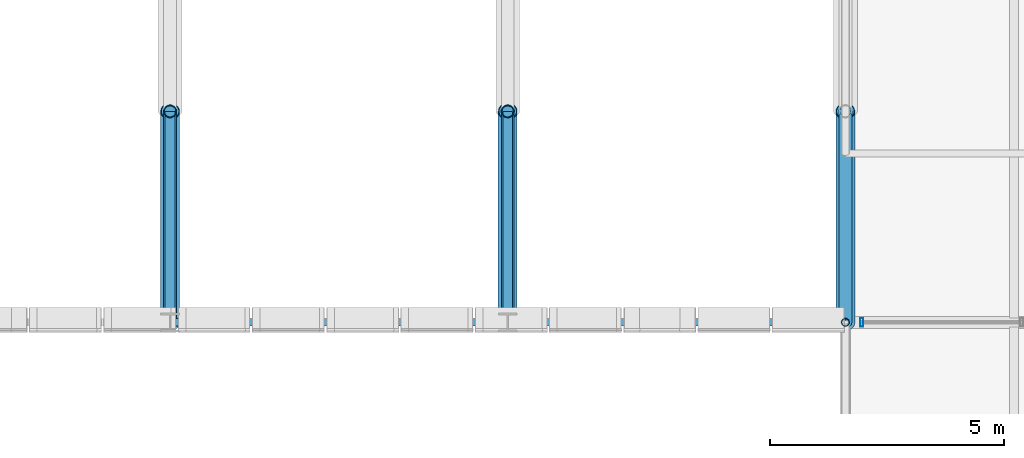
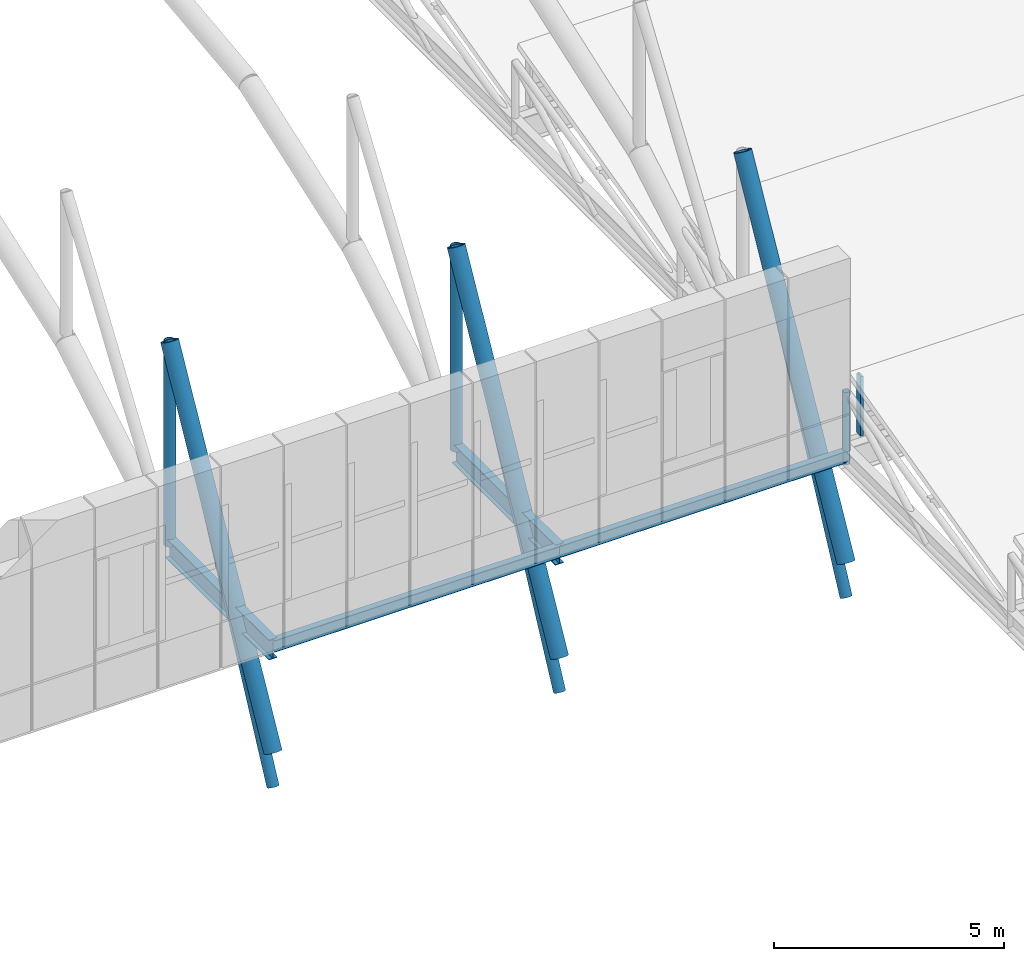
# One storey, part 27 of 144: 10 members, 4 beams, 1 element without a shape of its own.
"""IFC4 building model written with IfcOpenShell, lengths in metres."""

import ifcopenshell
import ifcopenshell.guid

model = None  # the IFC model being written
_history = None  # IfcOwnerHistory: only IFC2X3 demands one
_inside = {}  # id of a spatial element -> (the spatial element, [elements in it])
_under = {}  # id of a project, library or spatial element -> (it, [spatial elements below it])
_declared = {}  # id of a project -> (the project, [libraries it declares])
_typed = {}  # id of a type object -> (the type object, [elements of that type])
_made_of = {}  # id of a material, layer set ... -> (it, [elements and type objects made of it])


def new_model(schema):
    """Start an empty IFC model of exactly this schema.

    Asked for "IFC4X3", IfcOpenShell would pick the latest addendum, in which some entities
    have other attributes; the version numbers below select the first issue.
    IFC2X3 requires an IfcOwnerHistory on every rooted entity: one is made here for all.
    """
    global model, _history
    if schema == "IFC4X3":
        model = ifcopenshell.file(schema_version=(4, 3, 0, 0))
    else:
        model = ifcopenshell.file(schema=schema)
    _inside.clear()
    _under.clear()
    _declared.clear()
    _typed.clear()
    _made_of.clear()
    _history = None
    if model.schema == "IFC2X3":
        org = make("IfcOrganization", Name="unknown")
        user = make(
            "IfcPersonAndOrganization",
            ThePerson=make("IfcPerson", FamilyName="unknown"),
            TheOrganization=org,
        )
        app = make(
            "IfcApplication",
            ApplicationDeveloper=org,
            Version="unknown",
            ApplicationFullName="unknown",
            ApplicationIdentifier="unknown",
        )
        _history = make(
            "IfcOwnerHistory",
            OwningUser=user,
            OwningApplication=app,
            ChangeAction="ADDED",
            CreationDate=0,
        )
    return model


def make(cls, **values):
    """One entity of the class cls with the attributes given. An attribute that is None is left unset."""
    return model.create_entity(
        cls, **{name: value for name, value in values.items() if value is not None}
    )


def rooted(cls, **values):
    """An entity with a GlobalId (a new one), such as an element, a storey or a relation."""
    return make(cls, GlobalId=ifcopenshell.guid.new(), OwnerHistory=_history, **values)


def si_unit(unit_type, name, prefix=None):
    """IfcSIUnit, for example si_unit("LENGTHUNIT", "METRE", prefix="MILLI")."""
    return make("IfcSIUnit", UnitType=unit_type, Prefix=prefix, Name=name)


def assignment(units):
    """IfcUnitAssignment: the units of a project."""
    return None if units is None else make("IfcUnitAssignment", Units=units)


def point(xyz):
    """IfcCartesianPoint."""
    return None if xyz is None else make("IfcCartesianPoint", Coordinates=xyz)


def direction(xyz):
    """IfcDirection."""
    return None if xyz is None else make("IfcDirection", DirectionRatios=xyz)


def frame(location, z_axis=None, x_axis=None):
    """IfcAxis2Placement3D, a coordinate frame: its origin and axes. An axis left out is left unset."""
    return make(
        "IfcAxis2Placement3D",
        Location=point(location),
        Axis=direction(z_axis),
        RefDirection=direction(x_axis),
    )


def frame_2d(location, x_axis=None):
    """IfcAxis2Placement2D, a coordinate frame in the plane: its origin and x axis."""
    return make(
        "IfcAxis2Placement2D", Location=point(location), RefDirection=direction(x_axis)
    )


def origin():
    """The frame at (0, 0, 0) with its axes left unset."""
    return frame((0.0, 0.0, 0.0))


def origin_2d():
    """The frame at (0, 0) in the plane with its x axis left unset."""
    return frame_2d((0.0, 0.0))


def place(relative_to, where):
    """IfcLocalPlacement: puts the frame where relative to a parent placement (None: the world)."""
    return make(
        "IfcLocalPlacement", PlacementRelTo=relative_to, RelativePlacement=where
    )


def context(
    kind, dimensions, precision=None, world=None, true_north=None, identifier=None
):
    """IfcGeometricRepresentationContext, for example the 3D "Model" context."""
    return make(
        "IfcGeometricRepresentationContext",
        ContextIdentifier=identifier,
        ContextType=kind,
        CoordinateSpaceDimension=dimensions,
        Precision=precision,
        WorldCoordinateSystem=world,
        TrueNorth=true_north,
    )


def subcontext(parent, identifier, kind, view, scale=None):
    """IfcGeometricRepresentationSubContext, for example "Body" below "Model"."""
    return make(
        "IfcGeometricRepresentationSubContext",
        ContextIdentifier=identifier,
        ContextType=kind,
        ParentContext=parent,
        TargetScale=scale,
        TargetView=view,
    )


def project(units=None, contexts=None):
    """IfcProject with its units and contexts."""
    return rooted(
        "IfcProject",
        Name="project",
        RepresentationContexts=contexts,
        UnitsInContext=assignment(units),
    )


def spatial(cls, under=None, at=None, **own):
    """A site, building, storey or space (cls), placed at a placement, below another one or the project."""
    s = rooted(cls, ObjectPlacement=at, **own)
    if under is not None:
        _under.setdefault(under.id(), (under, []))[1].append(s)
    return s


def profile(cls, at=None, kind="AREA", **sizes):
    """A parametric profile (cls). Its sizes go by their IFC names, for example OverallWidth=200.0."""
    return make(cls, ProfileType=kind, Position=at, **sizes)


def hollow_rectangle(**sizes):
    """IfcRectangleHollowProfileDef."""
    return profile("IfcRectangleHollowProfileDef", **sizes)


def hollow_circle(**sizes):
    """IfcCircleHollowProfileDef."""
    return profile("IfcCircleHollowProfileDef", **sizes)


def i_section(**sizes):
    """IfcIShapeProfileDef."""
    return profile("IfcIShapeProfileDef", **sizes)


def extrude(swept, where, along, depth):
    """IfcExtrudedAreaSolid: the profile swept, set in the frame where, extruded along a direction by depth."""
    return make(
        "IfcExtrudedAreaSolid",
        SweptArea=swept,
        Position=where,
        ExtrudedDirection=direction(along),
        Depth=depth,
    )


def shape(context_of_items, identifier, shape_type, items):
    """IfcShapeRepresentation: the items that make up one representation, for example the "Body"."""
    return make(
        "IfcShapeRepresentation",
        ContextOfItems=context_of_items,
        RepresentationIdentifier=identifier,
        RepresentationType=shape_type,
        Items=items,
    )


def material(Name=None, Category=None):
    """IfcMaterial."""
    return make("IfcMaterial", Name=Name, Category=Category)


def material_profile(
    of_material, cross_section, Name=None, Category=None, Priority=None
):
    """IfcMaterialProfile: a cross section and its material."""
    return make(
        "IfcMaterialProfile",
        Name=Name,
        Material=of_material,
        Profile=cross_section,
        Priority=Priority,
        Category=Category,
    )


def profile_set(profiles, Name=None, composite=None):
    """IfcMaterialProfileSet."""
    return make(
        "IfcMaterialProfileSet",
        Name=Name,
        MaterialProfiles=profiles,
        CompositeProfile=composite,
    )


def made_of(thing, what):
    """Note that an element or type object is made of a material, layer set ...; save() writes the relation."""
    if what is not None:
        _made_of.setdefault(what.id(), (what, []))[1].append(thing)
    return thing


def type_object(cls, material=None, **own):
    """A type object (cls), such as IfcWallType, which elements share."""
    return made_of(rooted(cls, **own), material)


def element(
    cls,
    number,
    at=None,
    inside=None,
    cuts=None,
    type_object=None,
    material=None,
    context=None,
    identifier="Body",
    shape_type=None,
    held_by="IfcProductDefinitionShape",
    body=None,
    shapes=None,
    **own,
):
    """One element of the class cls, such as IfcWall. Its Tag is "e" and its number.

    at: its placement. inside: the storey or other place that contains it. cuts: it is an
    opening in that element (IfcRelVoidsElement). A single representation is given by context,
    identifier, shape_type and body (its items); several are given by shapes. held_by: the class
    of the entity that holds the representations. save() writes the other relations.
    """
    e = rooted(cls, Tag="e%d" % number, ObjectPlacement=at, **own)
    if body is not None:
        shapes = [shape(context, identifier, shape_type, body)]
    if shapes is not None:
        e.Representation = make(held_by, Representations=shapes)
    if inside is not None:
        _inside.setdefault(inside.id(), (inside, []))[1].append(e)
    if cuts is not None:
        rooted(
            "IfcRelVoidsElement", RelatingBuildingElement=cuts, RelatedOpeningElement=e
        )
    if type_object is not None:
        _typed.setdefault(type_object.id(), (type_object, []))[1].append(e)
    return made_of(e, material)


def aggregate(whole, parts):
    """IfcRelAggregates: a whole, such as a stair, and the parts it consists of."""
    return rooted("IfcRelAggregates", RelatingObject=whole, RelatedObjects=parts)


def save(model, path):
    """Write the relations noted so far, then the file.

    IfcRelAggregates (storeys below a building ...), IfcRelContainedInSpatialStructure (elements
    in a storey), IfcRelDefinesByType, IfcRelAssociatesMaterial and IfcRelDeclares: one each for
    every whole, place, type object, material and project.
    """
    for whole, parts in _under.values():
        aggregate(whole, parts)
    for where, things in _inside.values():
        rooted(
            "IfcRelContainedInSpatialStructure",
            RelatedElements=things,
            RelatingStructure=where,
        )
    for kind, things in _typed.values():
        rooted("IfcRelDefinesByType", RelatedObjects=things, RelatingType=kind)
    for what, things in _made_of.values():
        rooted("IfcRelAssociatesMaterial", RelatedObjects=things, RelatingMaterial=what)
    for by, libraries in _declared.values():
        rooted("IfcRelDeclares", RelatingContext=by, RelatedDefinitions=libraries)
    model.write(path)


model = new_model("IFC4")

# Units and contexts
model_context = context("Model", 3, precision=1e-05, world=origin(), true_north=direction((0.0, 1.0)))
body_context = subcontext(model_context, "Body", "Model", "MODEL_VIEW")
ifc_project = project(units=[si_unit("LENGTHUNIT", "METRE"), si_unit("AREAUNIT", "SQUARE_METRE"), si_unit("VOLUMEUNIT", "CUBIC_METRE"), si_unit("PLANEANGLEUNIT", "RADIAN"), si_unit("MASSUNIT", "GRAM", prefix="KILO")], contexts=[model_context])

# Site, building, storey
site_placement = place(None, origin())
site = spatial("IfcSite", under=ifc_project, at=site_placement, CompositionType="ELEMENT")
building_placement = place(site_placement, origin())
building = spatial("IfcBuilding", under=site, at=building_placement, Name="Yarey Park Central Fire Station", CompositionType="ELEMENT")
storey_placement = place(building_placement, frame((0.0, 0.0, 10.199951171875)))
storey = spatial("IfcBuildingStorey", under=building, at=storey_placement, Name="L03", CompositionType="ELEMENT", Elevation=10.199951171875)

# Curtain wall, member
ifc_material_1 = material(Name="Anodized Aluminium Frame", Category="aluminium")
curtain_wall_type = type_object("IfcCurtainWallType", Name="ENV_CW_SAW_18", PredefinedType="NOTDEFINED", material=ifc_material_1)
curtain_wall_placement = place(storey_placement, origin())
curtain_wall = element("IfcCurtainWall", 1, at=curtain_wall_placement, inside=storey, type_object=curtain_wall_type, Name="CW_L03_SAW_2_1", PredefinedType="NOTDEFINED")
ifc_material_profile_1 = material_profile(ifc_material_1, hollow_rectangle(XDim=0.070068359375, YDim=0.179931640625, WallThickness=0.00390625, at=origin_2d()), Name="ALU 180x70x4")
ifc_profile_set_1 = profile_set([ifc_material_profile_1], Name="Anodized Aluminium Frame")
member_type_1 = type_object("IfcMemberType", Name="ENV_CW_MULLION", PredefinedType="MULLION", material=ifc_profile_set_1)
member_1_placement = place(storey_placement, frame((137.14990234375, 57.60009765625, 0.0), z_axis=(0.0, 0.0, 1.0), x_axis=(1.0, 0.0, 0.0)))
member_1 = element("IfcMember", 2, at=member_1_placement, type_object=member_type_1, Name="CW_L03_SAW_2_1_MUL5", PredefinedType="MULLION", context=body_context, shape_type="SweptSolid", body=[
    extrude(hollow_rectangle(XDim=0.070068359375, YDim=0.179931640625, WallThickness=0.00390625, at=origin_2d()), origin(), (0.0, 0.0, 1.0), 1.580078125),
])
aggregate(curtain_wall, [member_1])

# Beams
ifc_material_2 = material(Name="Steel ASTM A992 Gr. 50", Category="steel")
ifc_material_profile_2 = material_profile(ifc_material_2, i_section(OverallWidth=0.208984375, OverallDepth=0.532958984375, WebThickness=0.01025390625, FlangeThickness=0.015625, at=origin_2d()), Name="W530x92")
ifc_profile_set_2 = profile_set([ifc_material_profile_2], Name="Steel ASTM A992 Gr. 50")
beam_type_1 = type_object("IfcBeamType", Name="STR_BM_W530", PredefinedType="BEAM", material=ifc_profile_set_2)
for number, where, z_axis, x_axis, name in (
    (3, (122.39990234375, 57.60009765625, -0.54638671875), (0.0, 1.0, 0.0), (-1.0, 0.0, 0.0), "V2 BOX OUT S L03 122"),
    (4, (129.60009765625, 57.60009765625, -0.54638671875), (0.0, 1.0, 0.0), (-1.0, 0.0, 0.0), "V2 BOX OUT S L03 129"),
):
    element("IfcBeam", number, at=place(storey_placement, frame(where, z_axis=z_axis, x_axis=x_axis)), inside=storey, type_object=beam_type_1, Name=name, PredefinedType="BEAM", context=body_context, shape_type="SweptSolid", body=[
        extrude(i_section(OverallWidth=0.208984375, OverallDepth=0.532958984375, WebThickness=0.01025390625, FlangeThickness=0.015625, at=origin_2d()), origin(), (0.0, 0.0, 1.0), 4.5),
    ])

# Members
ifc_material_3 = material(Name="Steel ASTM A500 Gr. C", Category="steel")
ifc_material_profile_3 = material_profile(ifc_material_3, hollow_circle(Radius=0.203125, WallThickness=0.01611328125, at=origin_2d()), Name="CHS 406.4x16")
ifc_profile_set_3 = profile_set([ifc_material_profile_3], Name="Steel ASTM A500 Gr. C")
member_type_2 = type_object("IfcMemberType", Name="STR_CHORD_CHS406", PredefinedType="CHORD", material=ifc_profile_set_3)
for number, where, z_axis, x_axis, name in (
    (5, (122.39990234375, 57.60009765625, -3.280029296875), (0.0, 0.481210036658, 0.876605327738), (-1.0, 0.0, 0.0), "Arched Roof Truss ART_10 Top Chord 1"),
    (6, (129.60009765625, 57.60009765625, -3.280029296875), (0.0, 0.481210036658, 0.876605327738), (-1.0, 0.0, 0.0), "Arched Roof Truss ART_11 Top Chord 1"),
    (7, (136.800048828125, 57.60009765625, -3.280029296875), (0.0, 0.481210036658, 0.876605327738), (-1.0, 0.0, 0.0), "Arched Roof Truss ART_12 Top Chord 1"),
):
    element("IfcMember", number, at=place(storey_placement, frame(where, z_axis=z_axis, x_axis=x_axis)), inside=storey, type_object=member_type_2, Name=name, PredefinedType="CHORD", context=body_context, shape_type="SweptSolid", body=[
        extrude(hollow_circle(Radius=0.203125, WallThickness=0.01611328125, at=origin_2d()), origin(), (0.0, 0.0, 1.0), 9.351318359375),
    ])

# Beams
ifc_material_profile_4 = material_profile(ifc_material_2, i_section(OverallWidth=0.1650390625, OverallDepth=0.31005859375, WebThickness=0.005859375, FlangeThickness=0.009765625, at=origin_2d()), Name="W310x39")
ifc_profile_set_4 = profile_set([ifc_material_profile_4], Name="Steel ASTM A992 Gr. 50")
beam_type_2 = type_object("IfcBeamType", Name="STR_SPN_W310", PredefinedType="SPANDREL", material=ifc_profile_set_4)
beam_1_placement = place(storey_placement, frame((122.39990234375, 57.60009765625, -0.43505859375), z_axis=(1.0, 0.0, 0.0), x_axis=(0.0, 1.0, 0.0)))
element("IfcBeam", 8, at=beam_1_placement, inside=storey, type_object=beam_type_2, Name="V2 BOX GIRT S B1 10", PredefinedType="SPANDREL", context=body_context, shape_type="SweptSolid", body=[
    extrude(i_section(OverallWidth=0.1650390625, OverallDepth=0.31005859375, WebThickness=0.005859375, FlangeThickness=0.009765625, at=origin_2d()), origin(), (0.0, 0.0, 1.0), 7.2001953125),
])
beam_2_placement = place(storey_placement, frame((129.60009765625, 57.60009765625, -0.43505859375), z_axis=(1.0, 0.0, 0.0), x_axis=(0.0, 1.0, 0.0)))
element("IfcBeam", 9, at=beam_2_placement, inside=storey, type_object=beam_type_2, Name="V2 BOX GIRT S B1 11", PredefinedType="SPANDREL", context=body_context, shape_type="SweptSolid", body=[
    extrude(i_section(OverallWidth=0.1650390625, OverallDepth=0.31005859375, WebThickness=0.005859375, FlangeThickness=0.009765625, at=origin_2d()), origin(), (0.0, 0.0, 1.0), 7.199951171875),
])

# Members
ifc_material_profile_5 = material_profile(ifc_material_3, hollow_circle(Radius=0.084228515625, WallThickness=0.008056640625, at=origin_2d()), Name="CHS 168.3x8")
ifc_profile_set_5 = profile_set([ifc_material_profile_5], Name="Steel ASTM A500 Gr. C")
member_type_3 = type_object("IfcMemberType", Name="STR_WEB_CHS168", PredefinedType="BRACE", material=ifc_profile_set_5)
member_2_placement = place(storey_placement, frame((136.800048828125, 57.60009765625, -0.64990234375), z_axis=(0.0, 0.0, 1.0), x_axis=(1.0, 0.0, 0.0)))
element("IfcMember", 10, at=member_2_placement, inside=storey, type_object=member_type_3, Name="SAW_T1_B2_VT", PredefinedType="BRACE", context=body_context, shape_type="SweptSolid", body=[
    extrude(hollow_circle(Radius=0.084228515625, WallThickness=0.008056640625, at=origin_2d()), origin(), (0.0, 0.0, 1.0), 1.925048828125),
])
ifc_material_profile_6 = material_profile(ifc_material_3, hollow_circle(Radius=0.136474609375, WallThickness=0.012451171875, at=origin_2d()), Name="CHS 273x12.5")
ifc_profile_set_6 = profile_set([ifc_material_profile_6], Name="Steel ASTM A500 Gr. C")
member_type_4 = type_object("IfcMemberType", Name="STR_WEB_CHS273", PredefinedType="BRACE", material=ifc_profile_set_6)
member_3_placement = place(storey_placement, frame((122.39990234375, 57.60009765625, -4.199951171875), z_axis=(0.0, 0.442587736107, 0.89672520643), x_axis=(-1.0, 0.0, 0.0)))
element("IfcMember", 11, at=member_3_placement, inside=storey, type_object=member_type_4, Name="Arched Roof Truss ART_10 Diagonal 1", PredefinedType="BRACE", context=body_context, shape_type="SweptSolid", body=[
    extrude(hollow_circle(Radius=0.136474609375, WallThickness=0.012451171875, at=origin_2d()), origin(), (0.0, 0.0, 1.0), 10.16748046875),
])
member_4_placement = place(storey_placement, frame((122.39990234375, 62.10009765625, -0.481201171875), z_axis=(0.0, 0.0, 1.0), x_axis=(1.0, 0.0, 0.0)))
element("IfcMember", 12, at=member_4_placement, inside=storey, type_object=member_type_4, Name="Arched Roof Truss ART_10 Vertical 2", PredefinedType="BRACE", context=body_context, shape_type="SweptSolid", body=[
    extrude(hollow_circle(Radius=0.136474609375, WallThickness=0.012451171875, at=origin_2d()), origin(), (0.0, 0.0, 1.0), 5.398681640625),
])
member_5_placement = place(storey_placement, frame((129.60009765625, 57.60009765625, -4.199951171875), z_axis=(0.0, 0.442587736107, 0.89672520643), x_axis=(-1.0, 0.0, 0.0)))
element("IfcMember", 13, at=member_5_placement, inside=storey, type_object=member_type_4, Name="Arched Roof Truss ART_11 Diagonal 1", PredefinedType="BRACE", context=body_context, shape_type="SweptSolid", body=[
    extrude(hollow_circle(Radius=0.136474609375, WallThickness=0.012451171875, at=origin_2d()), origin(), (0.0, 0.0, 1.0), 10.16748046875),
])
member_6_placement = place(storey_placement, frame((129.60009765625, 62.10009765625, -0.481201171875), z_axis=(0.0, 0.0, 1.0), x_axis=(1.0, 0.0, 0.0)))
element("IfcMember", 14, at=member_6_placement, inside=storey, type_object=member_type_4, Name="Arched Roof Truss ART_11 Vertical 2", PredefinedType="BRACE", context=body_context, shape_type="SweptSolid", body=[
    extrude(hollow_circle(Radius=0.136474609375, WallThickness=0.012451171875, at=origin_2d()), origin(), (0.0, 0.0, 1.0), 5.398681640625),
])
member_7_placement = place(storey_placement, frame((136.800048828125, 57.60009765625, -4.199951171875), z_axis=(0.0, 0.442587736107, 0.89672520643), x_axis=(-1.0, 0.0, 0.0)))
element("IfcMember", 15, at=member_7_placement, inside=storey, type_object=member_type_4, Name="Arched Roof Truss ART_12 Diagonal 1", PredefinedType="BRACE", context=body_context, shape_type="SweptSolid", body=[
    extrude(hollow_circle(Radius=0.136474609375, WallThickness=0.012451171875, at=origin_2d()), origin(), (0.0, 0.0, 1.0), 10.16748046875),
])

save(model, "model.ifc")
